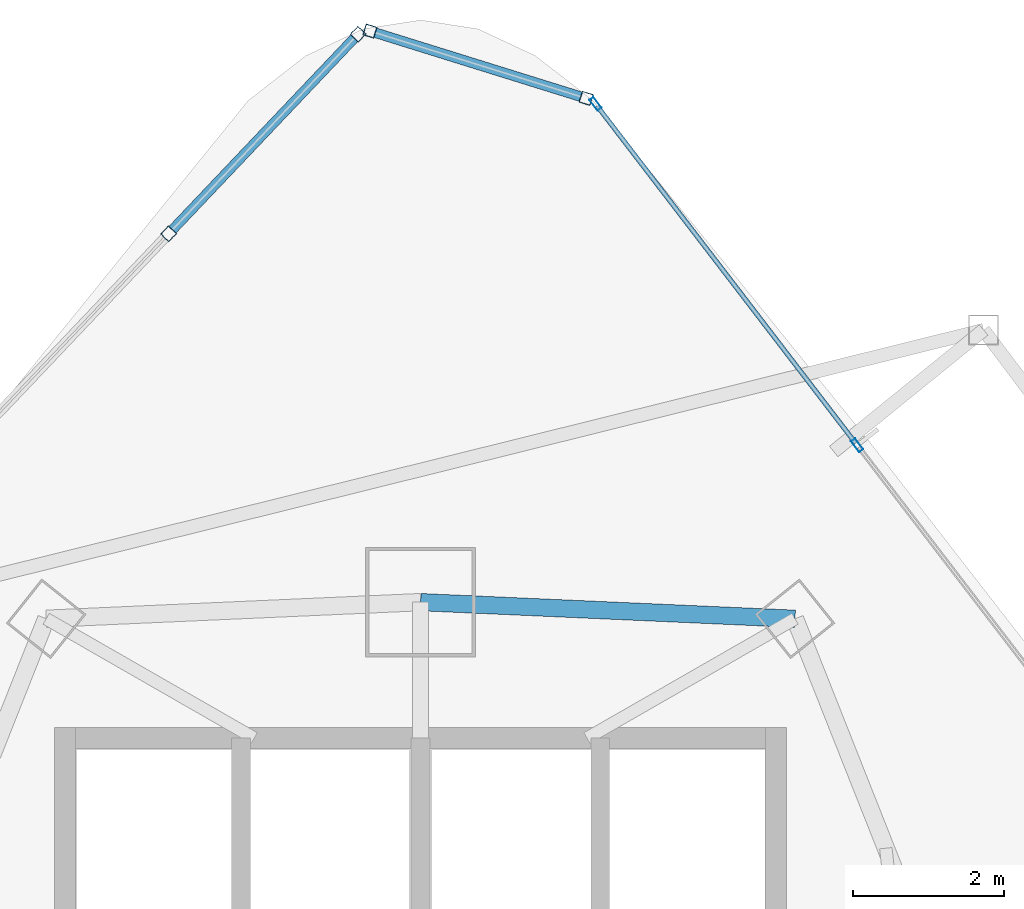
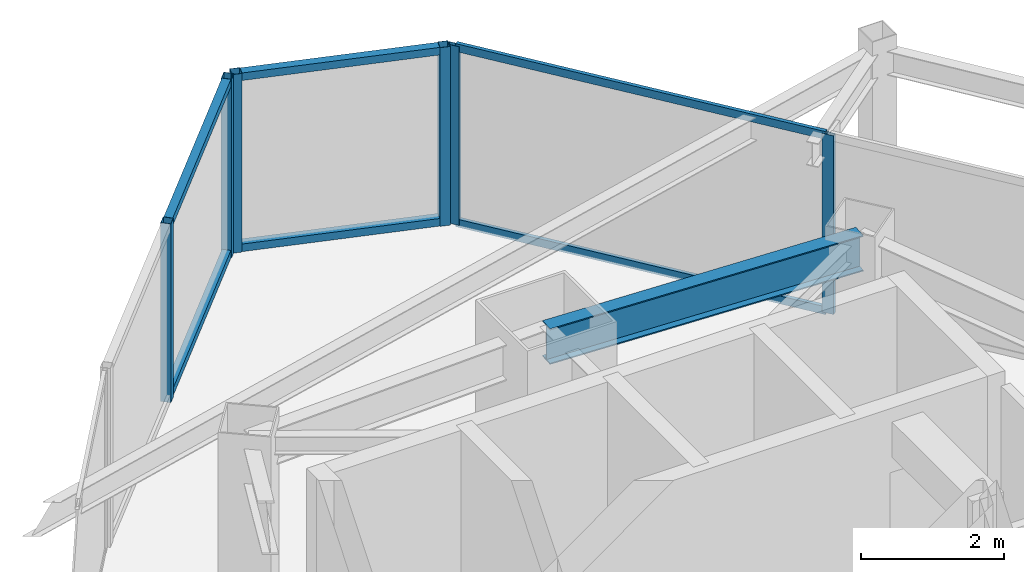
# One storey, part 23 of 31: 12 members, 1 beam, 3 elements without a shape of their own.
"""IFC4 building model written with IfcOpenShell, lengths in metres."""

from ifc_helpers import new_model, si_unit, direction, frame, origin, origin_2d, place, context, subcontext, project, spatial, hollow_rectangle, i_section, extrude, material, layer, layer_set, material_profile, profile_set, type_object, element, aggregate, save


model = new_model("IFC4")

# Units and contexts
model_context = context("Model", 3, precision=1e-05, world=origin(), true_north=direction((0.0, 1.0)))
body_context = subcontext(model_context, "Body", "Model", "MODEL_VIEW")
ifc_project = project(units=[si_unit("LENGTHUNIT", "METRE"), si_unit("AREAUNIT", "SQUARE_METRE"), si_unit("VOLUMEUNIT", "CUBIC_METRE"), si_unit("PLANEANGLEUNIT", "RADIAN"), si_unit("MASSUNIT", "GRAM", prefix="KILO")], contexts=[model_context])

# Site, building, storey
site_placement = place(None, origin())
site = spatial("IfcSite", under=ifc_project, at=site_placement, CompositionType="ELEMENT")
building_placement = place(site_placement, origin())
building = spatial("IfcBuilding", under=site, at=building_placement, Name="Orvanel Arch Residences", CompositionType="ELEMENT")
storey_placement = place(building_placement, frame((0.0, 0.0, 129.800048828125)))
storey = spatial("IfcBuildingStorey", under=building, at=storey_placement, Name="L36", CompositionType="ELEMENT", Elevation=129.800048828125)

# Curtain wall, members
ifc_material_1 = material(Name="Bronze-anodised aluminium AA6063-T6", Category="aluminium")
ifc_layer_1 = layer(ifc_material_1, 0.18994140625)
ifc_layer_set_1 = layer_set([ifc_layer_1], Name="Bronze-anodised aluminium AA6063-T6")
curtain_wall_type_1 = type_object("IfcCurtainWallType", Name="CW5-CRN-SYS", PredefinedType="NOTDEFINED", material=ifc_layer_set_1)
curtain_wall_1_placement = place(storey_placement, origin())
curtain_wall_1 = element("IfcCurtainWall", 1, at=curtain_wall_1_placement, inside=storey, type_object=curtain_wall_type_1, Name="L36 CW5-CRN-SYS Unitised Curtain Wall", PredefinedType="NOTDEFINED")
ifc_material_profile_1 = material_profile(ifc_material_1, hollow_rectangle(XDim=0.14990234375, YDim=0.14990234375, WallThickness=0.0048828125, at=origin_2d()), Name="ALU150x150x5")
ifc_profile_set_1 = profile_set([ifc_material_profile_1], Name="Bronze-anodised aluminium AA6063-T6")
member_type_1 = type_object("IfcMemberType", Name="MUL-150x150", PredefinedType="MULLION", material=ifc_profile_set_1)
member_1_placement = place(storey_placement, frame((35.1884765625, 48.058349609375, 0.0), z_axis=(0.0, 0.0, 1.0), x_axis=(-0.297169694333, -0.954824681693, 0.0)))
member_1 = element("IfcMember", 2, at=member_1_placement, type_object=member_type_1, Name="CW-S5 mullion 1", PredefinedType="MULLION", context=body_context, shape_type="SweptSolid", body=[
    extrude(hollow_rectangle(XDim=0.14990234375, YDim=0.14990234375, WallThickness=0.0048828125, at=origin_2d()), origin(), (0.0, 0.0, 1.0), 3.06005859375),
])
member_2_placement = place(storey_placement, frame((32.33056640625, 48.94775390625, 0.0), z_axis=(0.0, 0.0, 1.0), x_axis=(-0.297169694333, -0.954824681693, 0.0)))
member_2 = element("IfcMember", 3, at=member_2_placement, type_object=member_type_1, Name="CW-S5 mullion 2", PredefinedType="MULLION", context=body_context, shape_type="SweptSolid", body=[
    extrude(hollow_rectangle(XDim=0.14990234375, YDim=0.14990234375, WallThickness=0.0048828125, at=origin_2d()), origin(), (0.0, 0.0, 1.0), 3.06005859375),
])

curtain_wall_2_placement = place(storey_placement, origin())
curtain_wall_2 = element("IfcCurtainWall", 4, at=curtain_wall_2_placement, inside=storey, type_object=curtain_wall_type_1, Name="L36 CW5-CRN-SYS Unitised Curtain Wall", PredefinedType="NOTDEFINED")
member_3_placement = place(storey_placement, frame((32.17431640625, 48.906494140625, 0.0), z_axis=(0.0, 0.0, 1.0), x_axis=(0.725177541449, -0.688561931403, 0.0)))
member_3 = element("IfcMember", 5, at=member_3_placement, type_object=member_type_1, Name="CW-S5 mullion 1", PredefinedType="MULLION", context=body_context, shape_type="SweptSolid", body=[
    extrude(hollow_rectangle(XDim=0.14990234375, YDim=0.14990234375, WallThickness=0.0048828125, at=origin_2d()), origin(), (0.0, 0.0, 1.0), 3.06005859375),
])
member_4_placement = place(storey_placement, frame((29.66845703125, 46.267578125, 0.0), z_axis=(0.0, 0.0, 1.0), x_axis=(0.725177541449, -0.688561931403, 0.0)))
member_4 = element("IfcMember", 6, at=member_4_placement, type_object=member_type_1, Name="CW-S5 mullion 2", PredefinedType="MULLION", context=body_context, shape_type="SweptSolid", body=[
    extrude(hollow_rectangle(XDim=0.14990234375, YDim=0.14990234375, WallThickness=0.0048828125, at=origin_2d()), origin(), (0.0, 0.0, 1.0), 3.06005859375),
])

ifc_layer_2 = layer(ifc_material_1, 0.179931640625)
ifc_layer_set_2 = layer_set([ifc_layer_2], Name="Bronze-anodised aluminium AA6063-T6")
curtain_wall_type_2 = type_object("IfcCurtainWallType", Name="CW3-MID-SYS", PredefinedType="NOTDEFINED", material=ifc_layer_set_2)
curtain_wall_3_placement = place(storey_placement, origin())
curtain_wall_3 = element("IfcCurtainWall", 7, at=curtain_wall_3_placement, inside=storey, type_object=curtain_wall_type_2, Name="L36 CW3-MID-SYS Unitised Curtain Wall", PredefinedType="NOTDEFINED")
ifc_material_profile_2 = material_profile(ifc_material_1, hollow_rectangle(XDim=0.070068359375, YDim=0.179931640625, WallThickness=0.00439453125, at=origin_2d()), Name="ALU180x70x4.5")
ifc_profile_set_2 = profile_set([ifc_material_profile_2], Name="Bronze-anodised aluminium AA6063-T6")
member_type_2 = type_object("IfcMemberType", Name="MUL-180x70", PredefinedType="MULLION", material=ifc_profile_set_2)
member_5_placement = place(storey_placement, frame((38.77197265625, 43.472412109375, 0.0), z_axis=(0.0, 0.0, 1.0), x_axis=(-0.793686048697, -0.608327589465, 0.0)))
member_5 = element("IfcMember", 8, at=member_5_placement, type_object=member_type_2, Name="CW-S3 mullion 3", PredefinedType="MULLION", context=body_context, shape_type="SweptSolid", body=[
    extrude(hollow_rectangle(XDim=0.070068359375, YDim=0.179931640625, WallThickness=0.00439453125, at=origin_2d()), origin(), (0.0, 0.0, 1.0), 3.06005859375),
])
member_6_placement = place(storey_placement, frame((35.312255859375, 47.986328125, 0.0), z_axis=(0.0, 0.0, 1.0), x_axis=(-0.793686048697, -0.608327589465, 0.0)))
member_6 = element("IfcMember", 9, at=member_6_placement, type_object=member_type_2, Name="CW-S3 mullion 4", PredefinedType="MULLION", context=body_context, shape_type="SweptSolid", body=[
    extrude(hollow_rectangle(XDim=0.070068359375, YDim=0.179931640625, WallThickness=0.00439453125, at=origin_2d()), origin(), (0.0, 0.0, 1.0), 3.06005859375),
])

# Beam
ifc_material_2 = material(Name="Structural steel AS/NZS 3679.1 Grade 300 (300 MPa)", Category="steel")
ifc_material_profile_3 = material_profile(ifc_material_2, i_section(OverallWidth=0.22900390625, OverallDepth=0.612060546875, WebThickness=0.011962890625, FlangeThickness=0.01953125, at=origin_2d()), Name="610UB125")
ifc_profile_set_3 = profile_set([ifc_material_profile_3], Name="Structural steel AS/NZS 3679.1 Grade 300 (300 MPa)")
beam_type = type_object("IfcBeamType", Name="SP-610UB", PredefinedType="SPANDREL", material=ifc_profile_set_3)
beam_placement = place(storey_placement, frame((37.949951171875, 41.177978515625, 2.75390625), z_axis=(-0.999014049296, 0.044395149614, 0.0), x_axis=(-0.044395149614, -0.999014049296, 0.0)))
element("IfcBeam", 10, at=beam_placement, inside=storey, type_object=beam_type, Name="L36 Perimeter Spandrel Beam 14", PredefinedType="SPANDREL", context=body_context, shape_type="SweptSolid", body=[
    extrude(i_section(OverallWidth=0.22900390625, OverallDepth=0.612060546875, WebThickness=0.011962890625, FlangeThickness=0.01953125, at=origin_2d()), origin(), (0.0, 0.0, 1.0), 4.954833984375),
])

# Member
ifc_material_profile_4 = material_profile(ifc_material_1, hollow_rectangle(XDim=0.1298828125, YDim=0.1298828125, WallThickness=0.00439453125, at=origin_2d()), Name="ALU130x130x4.5")
ifc_profile_set_4 = profile_set([ifc_material_profile_4], Name="Bronze-anodised aluminium AA6063-T6")
member_type_3 = type_object("IfcMemberType", Name="TRN-130x130", PredefinedType="USERDEFINED", material=ifc_profile_set_4)
member_7_placement = place(storey_placement, frame((35.11669921875, 48.08056640625, 0.06494140625), z_axis=(-0.954806418228, 0.297228369625, 0.0), x_axis=(-0.297228369625, -0.954806418228, 0.0)))
member_7 = element("IfcMember", 11, at=member_7_placement, type_object=member_type_3, Name="CW-S5 transom 1.1", ObjectType="TRANSOM", PredefinedType="USERDEFINED", context=body_context, shape_type="SweptSolid", body=[
    extrude(hollow_rectangle(XDim=0.1298828125, YDim=0.1298828125, WallThickness=0.00439453125, at=origin_2d()), origin(), (0.0, 0.0, 1.0), 2.8427734375),
])

member_8_placement = place(storey_placement, frame((35.11669921875, 48.08056640625, 2.994873046875), z_axis=(-0.954806418228, 0.297228369625, 0.0), x_axis=(-0.297228369625, -0.954806418228, 0.0)))
member_8 = element("IfcMember", 12, at=member_8_placement, type_object=member_type_3, Name="CW-S5 transom 1.2", ObjectType="TRANSOM", PredefinedType="USERDEFINED", context=body_context, shape_type="SweptSolid", body=[
    extrude(hollow_rectangle(XDim=0.1298828125, YDim=0.1298828125, WallThickness=0.00439453125, at=origin_2d()), origin(), (0.0, 0.0, 1.0), 2.8427734375),
])

aggregate(curtain_wall_1, [member_1, member_2, member_7, member_8])

member_9_placement = place(storey_placement, frame((32.122802734375, 48.852294921875, 0.06494140625), z_axis=(-0.688537970858, -0.725200291428, 0.0), x_axis=(0.725200291428, -0.688537970858, 0.0)))
member_9 = element("IfcMember", 13, at=member_9_placement, type_object=member_type_3, Name="CW-S5 transom 1.1", ObjectType="TRANSOM", PredefinedType="USERDEFINED", context=body_context, shape_type="SweptSolid", body=[
    extrude(hollow_rectangle(XDim=0.1298828125, YDim=0.1298828125, WallThickness=0.00439453125, at=origin_2d()), origin(), (0.0, 0.0, 1.0), 3.489501953125),
])

member_10_placement = place(storey_placement, frame((32.122802734375, 48.852294921875, 2.994873046875), z_axis=(-0.688537970858, -0.725200291428, 0.0), x_axis=(0.725200291428, -0.688537970858, 0.0)))
member_10 = element("IfcMember", 14, at=member_10_placement, type_object=member_type_3, Name="CW-S5 transom 1.2", ObjectType="TRANSOM", PredefinedType="USERDEFINED", context=body_context, shape_type="SweptSolid", body=[
    extrude(hollow_rectangle(XDim=0.1298828125, YDim=0.1298828125, WallThickness=0.00439453125, at=origin_2d()), origin(), (0.0, 0.0, 1.0), 3.489501953125),
])

aggregate(curtain_wall_2, [member_3, member_4, member_9, member_10])

ifc_material_profile_5 = material_profile(ifc_material_1, hollow_rectangle(XDim=0.06005859375, YDim=0.135009765625, WallThickness=0.00390625, at=origin_2d()), Name="ALU135x60x4")
ifc_profile_set_5 = profile_set([ifc_material_profile_5], Name="Bronze-anodised aluminium AA6063-T6")
member_type_4 = type_object("IfcMemberType", Name="TRN-135x60", PredefinedType="USERDEFINED", material=ifc_profile_set_5)
member_11_placement = place(storey_placement, frame((38.750732421875, 43.5, 0.030029296875), z_axis=(-0.60832569864, 0.793687497932, 0.0), x_axis=(-0.793687497932, -0.60832569864, 0.0)))
member_11 = element("IfcMember", 15, at=member_11_placement, type_object=member_type_4, Name="CW-S3 transom 3.1", ObjectType="TRANSOM", PredefinedType="USERDEFINED", context=body_context, shape_type="SweptSolid", body=[
    extrude(hollow_rectangle(XDim=0.06005859375, YDim=0.135009765625, WallThickness=0.00390625, at=origin_2d()), origin(), (0.0, 0.0, 1.0), 5.617431640625),
])

member_12_placement = place(storey_placement, frame((38.750732421875, 43.5, 3.030029296875), z_axis=(-0.60832569864, 0.793687497932, 0.0), x_axis=(-0.793687497932, -0.60832569864, 0.0)))
member_12 = element("IfcMember", 16, at=member_12_placement, type_object=member_type_4, Name="CW-S3 transom 3.2", ObjectType="TRANSOM", PredefinedType="USERDEFINED", context=body_context, shape_type="SweptSolid", body=[
    extrude(hollow_rectangle(XDim=0.06005859375, YDim=0.135009765625, WallThickness=0.00390625, at=origin_2d()), origin(), (0.0, 0.0, 1.0), 5.617431640625),
])

aggregate(curtain_wall_3, [member_5, member_6, member_11, member_12])

save(model, "model.ifc")
